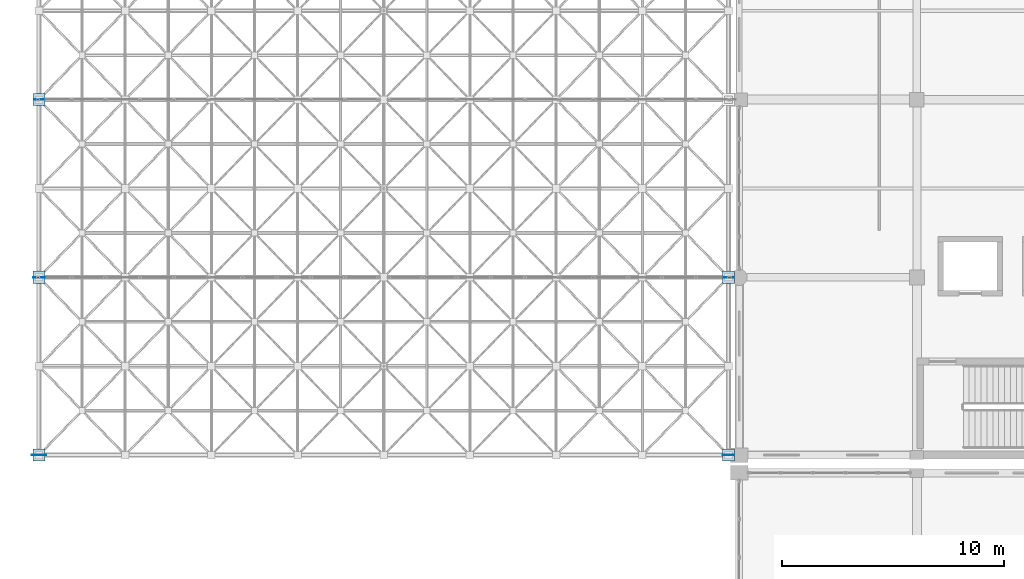
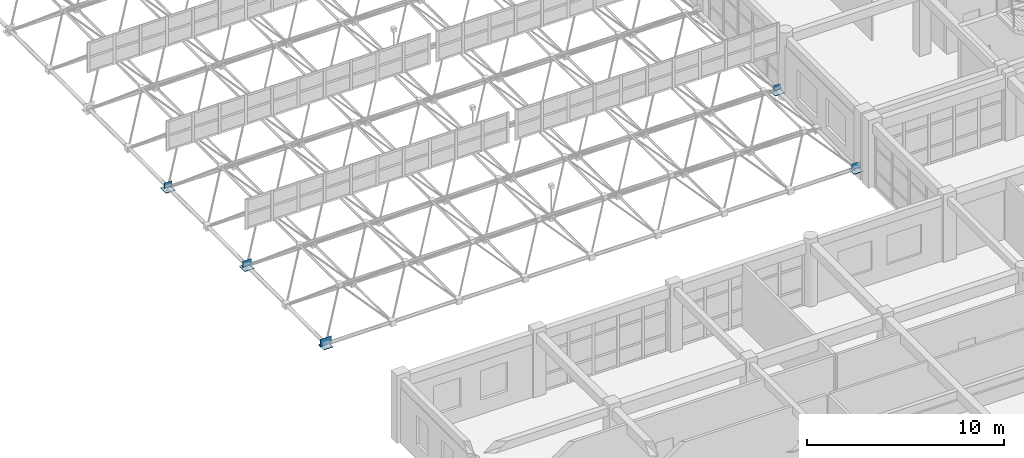
# One storey, part 157 of 195: 10 plates.
"""IFC4 building model written with IfcOpenShell, lengths in metres."""

from ifc_helpers import new_model, si_unit, direction, frame, origin, origin_2d, place, context, subcontext, project, spatial, rectangle, extrude, material, type_object, element, save


model = new_model("IFC4")

# Units and contexts
model_context = context("Model", 3, precision=1e-05, world=origin(), true_north=direction((0.0, 1.0)))
body_context = subcontext(model_context, "Body", "Model", "MODEL_VIEW")
ifc_project = project(units=[si_unit("LENGTHUNIT", "METRE"), si_unit("AREAUNIT", "SQUARE_METRE"), si_unit("VOLUMEUNIT", "CUBIC_METRE"), si_unit("PLANEANGLEUNIT", "RADIAN"), si_unit("MASSUNIT", "GRAM", prefix="KILO")], contexts=[model_context])

# Site, building, storey
site_placement = place(None, origin())
site = spatial("IfcSite", under=ifc_project, at=site_placement, CompositionType="ELEMENT")
building_placement = place(site_placement, origin())
building = spatial("IfcBuilding", under=site, at=building_placement, Name="Kharva Crest Polytechnic", CompositionType="ELEMENT")
storey_placement = place(building_placement, frame((0.0, 0.0, 9.0)))
storey = spatial("IfcBuildingStorey", under=building, at=storey_placement, Name="L02", CompositionType="ELEMENT", Elevation=9.0)

# Plates
ifc_material = material(Name="Steel S355", Category="steel")
plate_type_1 = type_object("IfcPlateType", Name="PLT-BASE-550X550X28", PredefinedType="USERDEFINED", material=ifc_material)
for number, where, z_axis, x_axis, name in (
    (1, (0.47998046875, 38.800048828125, 0.4658203125), (0.0, 0.0, 1.0), (1.0, 0.0, 0.0), "Space Frame Bearing Seat Plate 0-0"),
    (2, (0.47998046875, 46.800048828125, 0.4658203125), (0.0, 0.0, 1.0), (1.0, 0.0, 0.0), "Space Frame Bearing Seat Plate 0-2"),
    (3, (0.47998046875, 54.800048828125, 0.4658203125), (0.0, 0.0, 1.0), (1.0, 0.0, 0.0), "Space Frame Bearing Seat Plate 0-4"),
    (4, (31.52001953125, 38.800048828125, 0.4658203125), (0.0, 0.0, 1.0), (1.0, 0.0, 0.0), "Space Frame Bearing Seat Plate 8-0"),
    (5, (31.52001953125, 46.800048828125, 0.4658203125), (0.0, 0.0, 1.0), (1.0, 0.0, 0.0), "Space Frame Bearing Seat Plate 8-2"),
):
    element("IfcPlate", number, at=place(storey_placement, frame(where, z_axis=z_axis, x_axis=x_axis)), inside=storey, type_object=plate_type_1, Name=name, ObjectType="BASE PLATE", PredefinedType="USERDEFINED", context=body_context, shape_type="SweptSolid", body=[
        extrude(rectangle(XDim=0.550048828125, YDim=0.550048828125, at=origin_2d()), origin(), (0.0, 0.0, 1.0), 0.028076171875),
    ])
plate_type_2 = type_object("IfcPlateType", Name="PLT-GUS-440X330X14", PredefinedType="USERDEFINED", material=ifc_material)
for number, where, z_axis, x_axis, name in (
    (6, (0.47998046875, 54.800048828125, 0.594970703125), (0.0, 0.0, 1.0), (1.0, 0.0, 0.0), "Space Frame Node Gusset Plate 0-4"),
    (7, (31.52001953125, 46.800048828125, 0.594970703125), (0.0, 0.0, 1.0), (1.0, 0.0, 0.0), "Space Frame Node Gusset Plate 8-2"),
):
    element("IfcPlate", number, at=place(storey_placement, frame(where, z_axis=z_axis, x_axis=x_axis)), inside=storey, type_object=plate_type_2, Name=name, ObjectType="GUSSET PLATE", PredefinedType="USERDEFINED", context=body_context, shape_type="SweptSolid", body=[
        extrude(rectangle(XDim=0.43994140625, YDim=0.013916015625, at=origin_2d()), origin(), (0.0, 0.0, 1.0), 0.330078125),
    ])
plate_type_3 = type_object("IfcPlateType", Name="PLT-GUS-520X380X16", PredefinedType="USERDEFINED", material=ifc_material)
for number, where, z_axis, x_axis, name in (
    (8, (0.47998046875, 46.800048828125, 0.570068359375), (0.0, 0.0, 1.0), (1.0, 0.0, 0.0), "Space Frame Node Gusset Plate 0-2"),
    (9, (31.52001953125, 38.800048828125, 0.570068359375), (0.0, 0.0, 1.0), (1.0, 0.0, 0.0), "Space Frame Node Gusset Plate 8-0"),
):
    element("IfcPlate", number, at=place(storey_placement, frame(where, z_axis=z_axis, x_axis=x_axis)), inside=storey, type_object=plate_type_3, Name=name, ObjectType="GUSSET PLATE", PredefinedType="USERDEFINED", context=body_context, shape_type="SweptSolid", body=[
        extrude(rectangle(XDim=0.52001953125, YDim=0.01611328125, at=origin_2d()), origin(), (0.0, 0.0, 1.0), 0.3798828125),
    ])
plate_type_4 = type_object("IfcPlateType", Name="PLT-GUS-650X450X20", PredefinedType="USERDEFINED", material=ifc_material)
plate_placement = place(storey_placement, frame((0.47998046875, 38.800048828125, 0.53515625), z_axis=(0.0, 0.0, 1.0), x_axis=(1.0, 0.0, 0.0)))
element("IfcPlate", 10, at=plate_placement, inside=storey, type_object=plate_type_4, Name="Space Frame Node Gusset Plate 0-0", ObjectType="GUSSET PLATE", PredefinedType="USERDEFINED", context=body_context, shape_type="SweptSolid", body=[
    extrude(rectangle(XDim=0.64990234375, YDim=0.02001953125, at=origin_2d()), origin(), (0.0, 0.0, 1.0), 0.449951171875),
])

save(model, "model.ifc")
